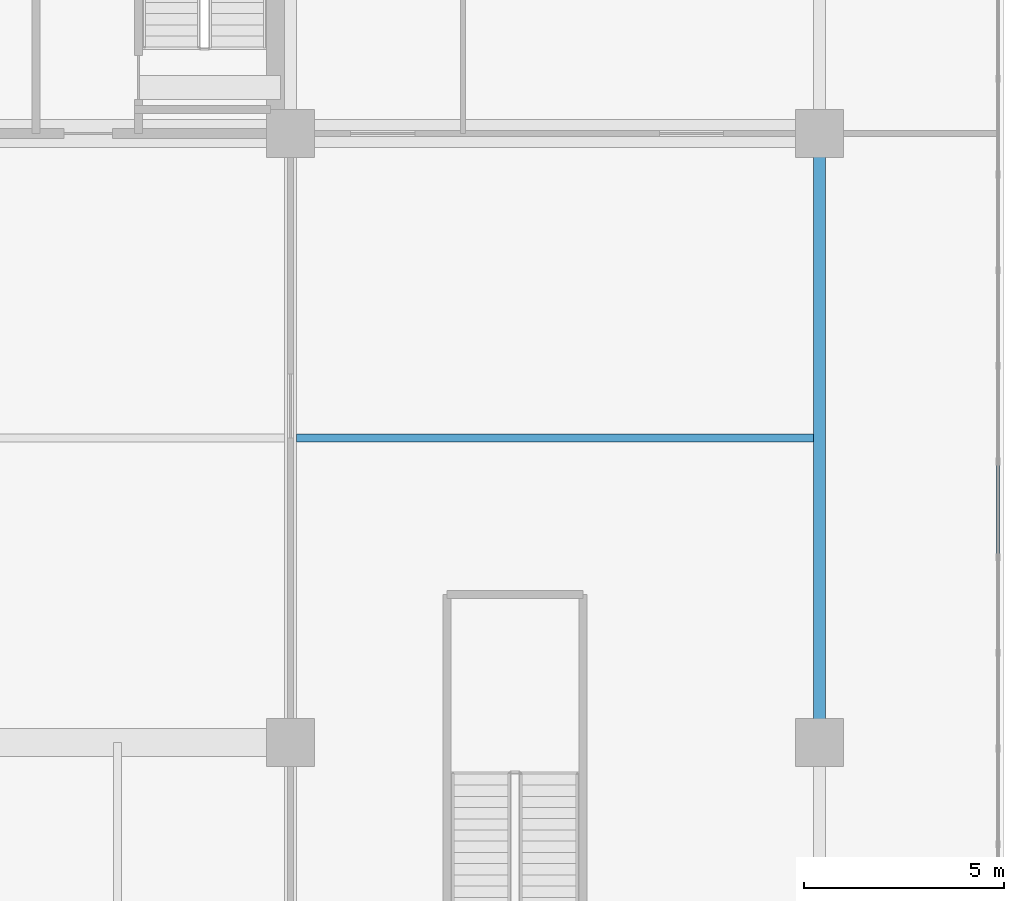
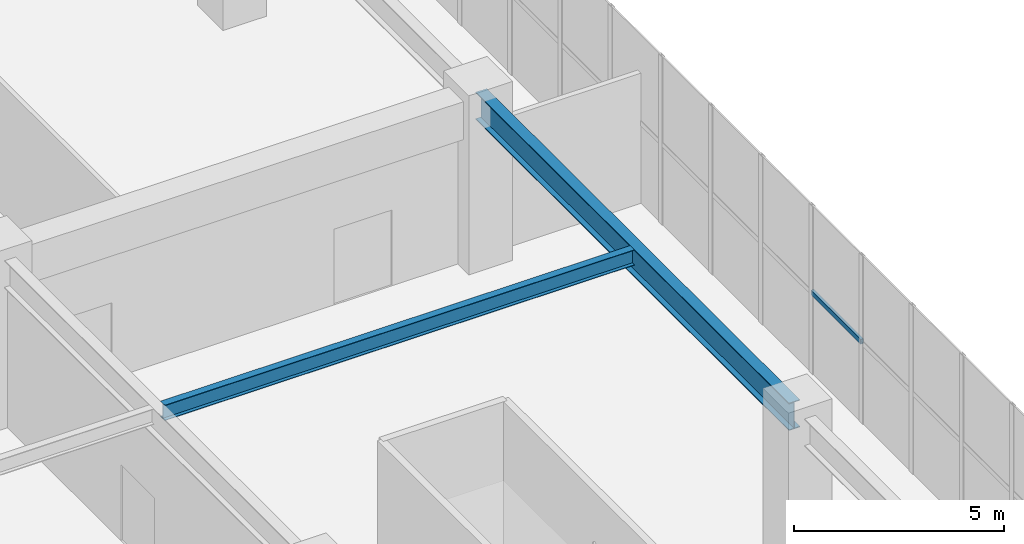
# One storey, part 23 of 40: 2 beams, 1 member, 1 element without a shape of its own.
"""IFC4 building model written with IfcOpenShell, lengths in metres."""

from ifc_helpers import new_model, si_unit, direction, frame, origin, origin_2d, place, context, subcontext, project, spatial, hollow_rectangle, i_section, extrude, source, transform, mapped, material, material_profile, profile_set, type_object, element, aggregate, save


model = new_model("IFC4")

# Units and contexts
model_context = context("Model", 3, precision=1e-05, world=origin(), true_north=direction((0.0, 1.0)))
body_context = subcontext(model_context, "Body", "Model", "MODEL_VIEW")
ifc_project = project(units=[si_unit("LENGTHUNIT", "METRE"), si_unit("AREAUNIT", "SQUARE_METRE"), si_unit("VOLUMEUNIT", "CUBIC_METRE"), si_unit("PLANEANGLEUNIT", "RADIAN"), si_unit("MASSUNIT", "GRAM", prefix="KILO")], contexts=[model_context])

# Site, building, storey
site_placement = place(None, origin())
site = spatial("IfcSite", under=ifc_project, at=site_placement, CompositionType="ELEMENT")
building_placement = place(site_placement, origin())
building = spatial("IfcBuilding", under=site, at=building_placement, Name="Trelvane Seafront Commons", CompositionType="ELEMENT")
storey_placement = place(building_placement, origin())
storey = spatial("IfcBuildingStorey", under=building, at=storey_placement, Name="L00", CompositionType="ELEMENT", Elevation=0.0)

# Beams
ifc_material_1 = material(Name="Steel SM355 (S355)", Category="steel")
ifc_material_profile_1 = material_profile(ifc_material_1, i_section(OverallWidth=0.300048828125, OverallDepth=0.800048828125, WebThickness=0.013916015625, FlangeThickness=0.02587890625, at=origin_2d()), Name="H-800x300x14x26")
ifc_profile_set_1 = profile_set([ifc_material_profile_1], Name="Steel SM355 (S355)")
beam_type_1 = type_object("IfcBeamType", Name="STR-BM-H800", PredefinedType="BEAM", material=ifc_profile_set_1)
shared_shape_1 = source(origin(), body_context, "Body", "SweptSolid", [
    extrude(i_section(OverallWidth=0.300048828125, OverallDepth=0.800048828125, WebThickness=0.013916015625, FlangeThickness=0.02587890625, at=origin_2d()), origin(), (0.0, 0.0, 1.0), 14.89990234375),
])
beam_1_placement = place(storey_placement, frame((72.0, 18.35009765625, 4.47998046875), z_axis=(0.0, 1.0, 0.0), x_axis=(-1.0, 0.0, 0.0)))
element("IfcBeam", 1, at=beam_1_placement, inside=storey, type_object=beam_type_1, Name="L00 Primary Girder G-56", PredefinedType="BEAM", context=body_context, shape_type="MappedRepresentation", body=[
    mapped(shared_shape_1, transform((0.0, 0.0, 0.0), x_axis=(1.0, 0.0, 0.0), y_axis=(0.0, 1.0, 0.0), z_axis=(0.0, 0.0, 1.0), scale=1.0)),
])
ifc_material_profile_2 = material_profile(ifc_material_1, i_section(OverallWidth=0.199951171875, OverallDepth=0.449951171875, WebThickness=0.009033203125, FlangeThickness=0.013916015625, at=origin_2d()), Name="H-450x200x9x14")
ifc_profile_set_2 = profile_set([ifc_material_profile_2], Name="Steel SM355 (S355)")
beam_type_2 = type_object("IfcBeamType", Name="STR-JST-H450", PredefinedType="JOIST", material=ifc_profile_set_2)
shared_shape_2 = source(origin(), body_context, "Body", "SweptSolid", [
    extrude(i_section(OverallWidth=0.199951171875, OverallDepth=0.449951171875, WebThickness=0.009033203125, FlangeThickness=0.013916015625, at=origin_2d()), origin(), (0.0, 0.0, 1.0), 12.900146484375),
])
beam_2_placement = place(storey_placement, frame((58.949951171875, 25.800048828125, 4.655029296875), z_axis=(1.0, 0.0, 0.0), x_axis=(0.0, 1.0, 0.0)))
element("IfcBeam", 2, at=beam_2_placement, inside=storey, type_object=beam_type_2, Name="L00 Secondary Floor Joist B-70", PredefinedType="JOIST", context=body_context, shape_type="MappedRepresentation", body=[
    mapped(shared_shape_2, transform((0.0, 0.0, 0.0), x_axis=(1.0, 0.0, 0.0), y_axis=(0.0, 1.0, 0.0), z_axis=(0.0, 0.0, 1.0), scale=1.0)),
])

# Curtain wall, member
ifc_material_2 = material(Name="Anodised pale-silver aluminium", Category="aluminium")
curtain_wall_type = type_object("IfcCurtainWallType", Name="ARCH-CW4-SKYLOBBY", PredefinedType="NOTDEFINED", material=ifc_material_2)
curtain_wall_placement = place(storey_placement, origin())
curtain_wall = element("IfcCurtainWall", 3, at=curtain_wall_placement, inside=storey, type_object=curtain_wall_type, Name="CW-L00-0005", PredefinedType="NOTDEFINED")
ifc_material_profile_3 = material_profile(ifc_material_2, hollow_rectangle(XDim=0.074951171875, YDim=0.139892578125, WallThickness=0.00390625, at=origin_2d()), Name="TRAN-75x140x4")
ifc_profile_set_3 = profile_set([ifc_material_profile_3], Name="Anodised pale-silver aluminium")
member_type = type_object("IfcMemberType", Name="ARCH-CW-TRAN-140", PredefinedType="USERDEFINED", material=ifc_profile_set_3)
shared_shape_3 = source(origin(), body_context, "Body", "SweptSolid", [
    extrude(hollow_rectangle(XDim=0.074951171875, YDim=0.139892578125, WallThickness=0.00390625, at=origin_2d()), origin(), (0.0, 0.0, 1.0), 2.363037109375),
])
member_placement = place(storey_placement, frame((76.449951171875, 25.200927734375, 2.342041015625), z_axis=(0.0, -1.0, 0.0), x_axis=(1.0, 0.0, 0.0)))
member = element("IfcMember", 4, at=member_placement, type_object=member_type, Name="CW-L00-0005-T11", ObjectType="TRANSOM", PredefinedType="USERDEFINED", context=body_context, shape_type="MappedRepresentation", body=[
    mapped(shared_shape_3, transform((0.0, 0.0, 0.0), x_axis=(1.0, 0.0, 0.0), y_axis=(0.0, 1.0, 0.0), z_axis=(0.0, 0.0, 1.0), scale=1.0)),
])
aggregate(curtain_wall, [member])

save(model, "model.ifc")
